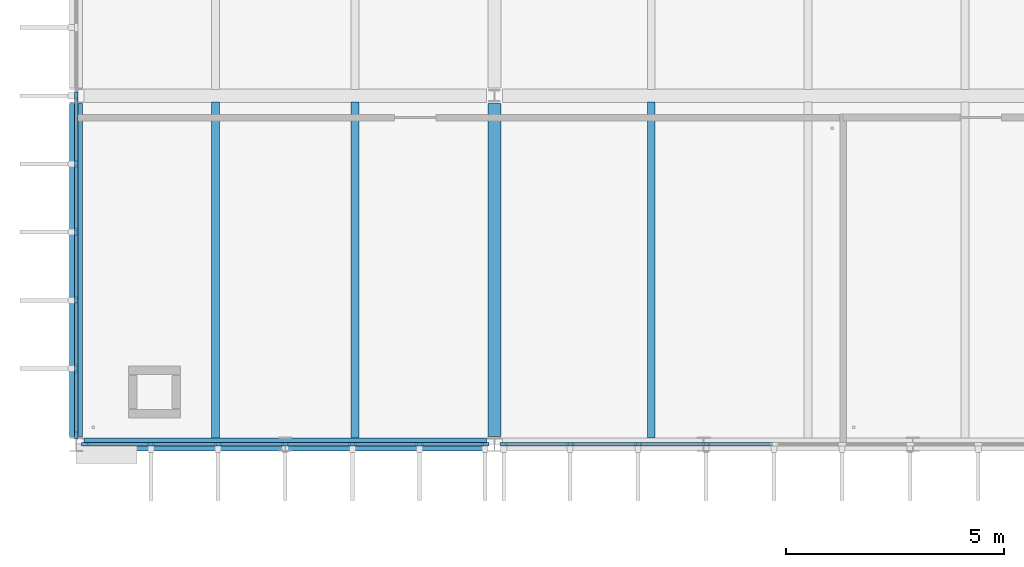
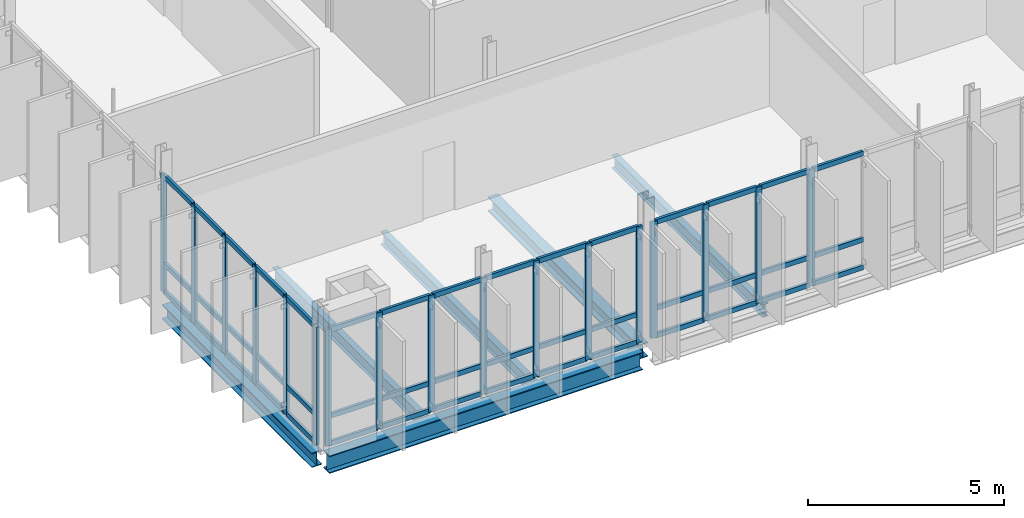
# One storey, part 17 of 93: 62 members, 6 beams, 3 elements without a shape of their own.
"""IFC4 building model written with IfcOpenShell, lengths in metres."""

from ifc_helpers import new_model, si_unit, direction, frame, origin, origin_2d, place, context, subcontext, project, spatial, rectangle, i_section, extrude, material, material_profile, profile_set, type_object, element, aggregate, save


model = new_model("IFC4")

# Units and contexts
model_context = context("Model", 3, precision=1e-05, world=origin(), true_north=direction((0.0, 1.0)))
body_context = subcontext(model_context, "Body", "Model", "MODEL_VIEW")
ifc_project = project(units=[si_unit("LENGTHUNIT", "METRE"), si_unit("AREAUNIT", "SQUARE_METRE"), si_unit("VOLUMEUNIT", "CUBIC_METRE"), si_unit("PLANEANGLEUNIT", "RADIAN"), si_unit("MASSUNIT", "GRAM", prefix="KILO")], contexts=[model_context])

# Site, building, storey
site_placement = place(None, origin())
site = spatial("IfcSite", under=ifc_project, at=site_placement, CompositionType="ELEMENT")
building_placement = place(site_placement, origin())
building = spatial("IfcBuilding", under=site, at=building_placement, Name="Dunescarp Central Library", CompositionType="ELEMENT")
storey_placement = place(building_placement, frame((0.0, 0.0, 14.10009765625)))
storey = spatial("IfcBuildingStorey", under=building, at=storey_placement, Name="L03", CompositionType="ELEMENT", Elevation=14.10009765625)

# Curtain wall, members
ifc_material_1 = material(Name="Marine-grade anodised aluminium 6063-T6", Category="aluminium")
curtain_wall_type = type_object("IfcCurtainWallType", Name="ARC-CW-STICK", PredefinedType="NOTDEFINED", material=ifc_material_1)
curtain_wall_1_placement = place(storey_placement, origin())
curtain_wall_1 = element("IfcCurtainWall", 1, at=curtain_wall_1_placement, inside=storey, type_object=curtain_wall_type, Name="L03 curtain wall CW-V1-018", PredefinedType="NOTDEFINED")
ifc_material_profile_1 = material_profile(ifc_material_1, rectangle(XDim=0.080078125, YDim=0.179931640625, at=origin_2d()), Name="AL 80x180")
ifc_profile_set_1 = profile_set([ifc_material_profile_1], Name="Marine-grade anodised aluminium 6063-T6")
member_type_1 = type_object("IfcMemberType", Name="ARC-CWM-180", PredefinedType="MULLION", material=ifc_profile_set_1)
member_1_placement = place(storey_placement, frame((9.385009765625, 4.800048828125, 0.0), z_axis=(0.0, 0.0, 1.0), x_axis=(0.0, -1.0, 0.0)))
member_1 = element("IfcMember", 2, at=member_1_placement, type_object=member_type_1, Name="CW-V1-018 mullion 1", PredefinedType="MULLION", context=body_context, shape_type="SweptSolid", body=[
    extrude(rectangle(XDim=0.080078125, YDim=0.179931640625, at=origin_2d()), origin(), (0.0, 0.0, 1.0), 3.625),
])
member_2_placement = place(storey_placement, frame((7.88330078125, 4.800048828125, 0.0), z_axis=(0.0, 0.0, 1.0), x_axis=(0.0, -1.0, 0.0)))
member_2 = element("IfcMember", 3, at=member_2_placement, type_object=member_type_1, Name="CW-V1-018 mullion 2", PredefinedType="MULLION", context=body_context, shape_type="SweptSolid", body=[
    extrude(rectangle(XDim=0.080078125, YDim=0.179931640625, at=origin_2d()), origin(), (0.0, 0.0, 1.0), 3.625),
])
member_3_placement = place(storey_placement, frame((6.341552734375, 4.800048828125, 0.0), z_axis=(0.0, 0.0, 1.0), x_axis=(0.0, -1.0, 0.0)))
member_3 = element("IfcMember", 4, at=member_3_placement, type_object=member_type_1, Name="CW-V1-018 mullion 3", PredefinedType="MULLION", context=body_context, shape_type="SweptSolid", body=[
    extrude(rectangle(XDim=0.080078125, YDim=0.179931640625, at=origin_2d()), origin(), (0.0, 0.0, 1.0), 3.625),
])
member_4_placement = place(storey_placement, frame((4.800048828125, 4.800048828125, 0.0), z_axis=(0.0, 0.0, 1.0), x_axis=(0.0, -1.0, 0.0)))
member_4 = element("IfcMember", 5, at=member_4_placement, type_object=member_type_1, Name="CW-V1-018 mullion 4", PredefinedType="MULLION", context=body_context, shape_type="SweptSolid", body=[
    extrude(rectangle(XDim=0.080078125, YDim=0.179931640625, at=origin_2d()), origin(), (0.0, 0.0, 1.0), 3.625),
])
member_5_placement = place(storey_placement, frame((3.25830078125, 4.800048828125, 0.0), z_axis=(0.0, 0.0, 1.0), x_axis=(0.0, -1.0, 0.0)))
member_5 = element("IfcMember", 6, at=member_5_placement, type_object=member_type_1, Name="CW-V1-018 mullion 5", PredefinedType="MULLION", context=body_context, shape_type="SweptSolid", body=[
    extrude(rectangle(XDim=0.080078125, YDim=0.179931640625, at=origin_2d()), origin(), (0.0, 0.0, 1.0), 3.625),
])
member_6_placement = place(storey_placement, frame((1.716552734375, 4.800048828125, 0.0), z_axis=(0.0, 0.0, 1.0), x_axis=(0.0, -1.0, 0.0)))
member_6 = element("IfcMember", 7, at=member_6_placement, type_object=member_type_1, Name="CW-V1-018 mullion 6", PredefinedType="MULLION", context=body_context, shape_type="SweptSolid", body=[
    extrude(rectangle(XDim=0.080078125, YDim=0.179931640625, at=origin_2d()), origin(), (0.0, 0.0, 1.0), 3.625),
])
member_7_placement = place(storey_placement, frame((0.215087890625, 4.800048828125, 0.0), z_axis=(0.0, 0.0, 1.0), x_axis=(0.0, -1.0, 0.0)))
member_7 = element("IfcMember", 8, at=member_7_placement, type_object=member_type_1, Name="CW-V1-018 mullion 7", PredefinedType="MULLION", context=body_context, shape_type="SweptSolid", body=[
    extrude(rectangle(XDim=0.080078125, YDim=0.179931640625, at=origin_2d()), origin(), (0.0, 0.0, 1.0), 3.625),
])

curtain_wall_2_placement = place(storey_placement, origin())
curtain_wall_2 = element("IfcCurtainWall", 9, at=curtain_wall_2_placement, inside=storey, type_object=curtain_wall_type, Name="L03 curtain wall CW-V1-019", PredefinedType="NOTDEFINED")
member_8_placement = place(storey_placement, frame((14.458251953125, 4.800048828125, 0.0), z_axis=(0.0, 0.0, 1.0), x_axis=(0.0, -1.0, 0.0)))
member_8 = element("IfcMember", 10, at=member_8_placement, type_object=member_type_1, Name="CW-V1-019 mullion 7", PredefinedType="MULLION", context=body_context, shape_type="SweptSolid", body=[
    extrude(rectangle(XDim=0.080078125, YDim=0.179931640625, at=origin_2d()), origin(), (0.0, 0.0, 1.0), 3.625),
])
member_9_placement = place(storey_placement, frame((12.897216796875, 4.800048828125, 0.0), z_axis=(0.0, 0.0, 1.0), x_axis=(0.0, -1.0, 0.0)))
member_9 = element("IfcMember", 11, at=member_9_placement, type_object=member_type_1, Name="CW-V1-019 mullion 8", PredefinedType="MULLION", context=body_context, shape_type="SweptSolid", body=[
    extrude(rectangle(XDim=0.080078125, YDim=0.179931640625, at=origin_2d()), origin(), (0.0, 0.0, 1.0), 3.625),
])
member_10_placement = place(storey_placement, frame((11.336181640625, 4.800048828125, 0.0), z_axis=(0.0, 0.0, 1.0), x_axis=(0.0, -1.0, 0.0)))
member_10 = element("IfcMember", 12, at=member_10_placement, type_object=member_type_1, Name="CW-V1-019 mullion 9", PredefinedType="MULLION", context=body_context, shape_type="SweptSolid", body=[
    extrude(rectangle(XDim=0.080078125, YDim=0.179931640625, at=origin_2d()), origin(), (0.0, 0.0, 1.0), 3.625),
])
member_11_placement = place(storey_placement, frame((9.81494140625, 4.800048828125, 0.0), z_axis=(0.0, 0.0, 1.0), x_axis=(0.0, -1.0, 0.0)))
member_11 = element("IfcMember", 13, at=member_11_placement, type_object=member_type_1, Name="CW-V1-019 mullion 10", PredefinedType="MULLION", context=body_context, shape_type="SweptSolid", body=[
    extrude(rectangle(XDim=0.080078125, YDim=0.179931640625, at=origin_2d()), origin(), (0.0, 0.0, 1.0), 3.625),
])

curtain_wall_3_placement = place(storey_placement, origin())
curtain_wall_3 = element("IfcCurtainWall", 14, at=curtain_wall_3_placement, inside=storey, type_object=curtain_wall_type, Name="L03 curtain wall CW-V1-021", PredefinedType="NOTDEFINED")
member_12_placement = place(storey_placement, frame((0.0, 5.014892578125, 0.0), z_axis=(0.0, 0.0, 1.0), x_axis=(-1.0, 0.0, 0.0)))
member_12 = element("IfcMember", 15, at=member_12_placement, type_object=member_type_1, Name="CW-V1-021 mullion 1", PredefinedType="MULLION", context=body_context, shape_type="SweptSolid", body=[
    extrude(rectangle(XDim=0.080078125, YDim=0.179931640625, at=origin_2d()), origin(), (0.0, 0.0, 1.0), 3.6748046875),
])
member_13_placement = place(storey_placement, frame((0.0, 6.5400390625, 0.0), z_axis=(0.0, 0.0, 1.0), x_axis=(-1.0, 0.0, 0.0)))
member_13 = element("IfcMember", 16, at=member_13_placement, type_object=member_type_1, Name="CW-V1-021 mullion 2", PredefinedType="MULLION", context=body_context, shape_type="SweptSolid", body=[
    extrude(rectangle(XDim=0.080078125, YDim=0.179931640625, at=origin_2d()), origin(), (0.0, 0.0, 1.0), 3.6748046875),
])
member_14_placement = place(storey_placement, frame((0.0, 8.10498046875, 0.0), z_axis=(0.0, 0.0, 1.0), x_axis=(-1.0, 0.0, 0.0)))
member_14 = element("IfcMember", 17, at=member_14_placement, type_object=member_type_1, Name="CW-V1-021 mullion 3", PredefinedType="MULLION", context=body_context, shape_type="SweptSolid", body=[
    extrude(rectangle(XDim=0.080078125, YDim=0.179931640625, at=origin_2d()), origin(), (0.0, 0.0, 1.0), 3.6748046875),
])
member_15_placement = place(storey_placement, frame((0.0, 9.669921875, 0.0), z_axis=(0.0, 0.0, 1.0), x_axis=(-1.0, 0.0, 0.0)))
member_15 = element("IfcMember", 18, at=member_15_placement, type_object=member_type_1, Name="CW-V1-021 mullion 4", PredefinedType="MULLION", context=body_context, shape_type="SweptSolid", body=[
    extrude(rectangle(XDim=0.080078125, YDim=0.179931640625, at=origin_2d()), origin(), (0.0, 0.0, 1.0), 3.6748046875),
])
member_16_placement = place(storey_placement, frame((0.0, 11.235107421875, 0.0), z_axis=(0.0, 0.0, 1.0), x_axis=(-1.0, 0.0, 0.0)))
member_16 = element("IfcMember", 19, at=member_16_placement, type_object=member_type_1, Name="CW-V1-021 mullion 5", PredefinedType="MULLION", context=body_context, shape_type="SweptSolid", body=[
    extrude(rectangle(XDim=0.080078125, YDim=0.179931640625, at=origin_2d()), origin(), (0.0, 0.0, 1.0), 3.6748046875),
])
member_17_placement = place(storey_placement, frame((0.0, 12.800048828125, 0.0), z_axis=(0.0, 0.0, 1.0), x_axis=(-1.0, 0.0, 0.0)))
member_17 = element("IfcMember", 20, at=member_17_placement, type_object=member_type_1, Name="CW-V1-021 mullion 6", PredefinedType="MULLION", context=body_context, shape_type="SweptSolid", body=[
    extrude(rectangle(XDim=0.080078125, YDim=0.179931640625, at=origin_2d()), origin(), (0.0, 0.0, 1.0), 3.6748046875),
])

# Member
ifc_material_profile_2 = material_profile(ifc_material_1, rectangle(XDim=0.080078125, YDim=0.14990234375, at=origin_2d()), Name="AL 80x150")
ifc_profile_set_2 = profile_set([ifc_material_profile_2], Name="Marine-grade anodised aluminium 6063-T6")
member_type_2 = type_object("IfcMemberType", Name="ARC-CWT-150", PredefinedType="USERDEFINED", material=ifc_profile_set_2)
member_18_placement = place(storey_placement, frame((9.344970703125, 4.800048828125, 0.039794921875), z_axis=(-1.0, 0.0, 0.0), x_axis=(0.0, -1.0, 0.0)))
member_18 = element("IfcMember", 21, at=member_18_placement, type_object=member_type_2, Name="CW-V1-018 transom 1.1", ObjectType="TRANSOM", PredefinedType="USERDEFINED", context=body_context, shape_type="SweptSolid", body=[
    extrude(rectangle(XDim=0.080078125, YDim=0.14990234375, at=origin_2d()), origin(), (0.0, 0.0, 1.0), 1.421630859375),
])

member_19_placement = place(storey_placement, frame((9.344970703125, 4.800048828125, 0.89990234375), z_axis=(-1.0, 0.0, 0.0), x_axis=(0.0, -1.0, 0.0)))
member_19 = element("IfcMember", 22, at=member_19_placement, type_object=member_type_2, Name="CW-V1-018 transom 1.2", ObjectType="TRANSOM", PredefinedType="USERDEFINED", context=body_context, shape_type="SweptSolid", body=[
    extrude(rectangle(XDim=0.080078125, YDim=0.14990234375, at=origin_2d()), origin(), (0.0, 0.0, 1.0), 1.421630859375),
])

member_20_placement = place(storey_placement, frame((9.344970703125, 4.800048828125, 3.5849609375), z_axis=(-1.0, 0.0, 0.0), x_axis=(0.0, -1.0, 0.0)))
member_20 = element("IfcMember", 23, at=member_20_placement, type_object=member_type_2, Name="CW-V1-018 transom 1.3", ObjectType="TRANSOM", PredefinedType="USERDEFINED", context=body_context, shape_type="SweptSolid", body=[
    extrude(rectangle(XDim=0.080078125, YDim=0.14990234375, at=origin_2d()), origin(), (0.0, 0.0, 1.0), 1.421630859375),
])

member_21_placement = place(storey_placement, frame((7.84326171875, 4.800048828125, 0.039794921875), z_axis=(-1.0, 0.0, 0.0), x_axis=(0.0, -1.0, 0.0)))
member_21 = element("IfcMember", 24, at=member_21_placement, type_object=member_type_2, Name="CW-V1-018 transom 2.1", ObjectType="TRANSOM", PredefinedType="USERDEFINED", context=body_context, shape_type="SweptSolid", body=[
    extrude(rectangle(XDim=0.080078125, YDim=0.14990234375, at=origin_2d()), origin(), (0.0, 0.0, 1.0), 1.461669921875),
])

member_22_placement = place(storey_placement, frame((7.84326171875, 4.800048828125, 0.89990234375), z_axis=(-1.0, 0.0, 0.0), x_axis=(0.0, -1.0, 0.0)))
member_22 = element("IfcMember", 25, at=member_22_placement, type_object=member_type_2, Name="CW-V1-018 transom 2.2", ObjectType="TRANSOM", PredefinedType="USERDEFINED", context=body_context, shape_type="SweptSolid", body=[
    extrude(rectangle(XDim=0.080078125, YDim=0.14990234375, at=origin_2d()), origin(), (0.0, 0.0, 1.0), 1.461669921875),
])

member_23_placement = place(storey_placement, frame((7.84326171875, 4.800048828125, 3.5849609375), z_axis=(-1.0, 0.0, 0.0), x_axis=(0.0, -1.0, 0.0)))
member_23 = element("IfcMember", 26, at=member_23_placement, type_object=member_type_2, Name="CW-V1-018 transom 2.3", ObjectType="TRANSOM", PredefinedType="USERDEFINED", context=body_context, shape_type="SweptSolid", body=[
    extrude(rectangle(XDim=0.080078125, YDim=0.14990234375, at=origin_2d()), origin(), (0.0, 0.0, 1.0), 1.461669921875),
])

member_24_placement = place(storey_placement, frame((6.3017578125, 4.800048828125, 0.039794921875), z_axis=(-1.0, 0.0, 0.0), x_axis=(0.0, -1.0, 0.0)))
member_24 = element("IfcMember", 27, at=member_24_placement, type_object=member_type_2, Name="CW-V1-018 transom 3.1", ObjectType="TRANSOM", PredefinedType="USERDEFINED", context=body_context, shape_type="SweptSolid", body=[
    extrude(rectangle(XDim=0.080078125, YDim=0.14990234375, at=origin_2d()), origin(), (0.0, 0.0, 1.0), 1.461669921875),
])

member_25_placement = place(storey_placement, frame((6.3017578125, 4.800048828125, 0.89990234375), z_axis=(-1.0, 0.0, 0.0), x_axis=(0.0, -1.0, 0.0)))
member_25 = element("IfcMember", 28, at=member_25_placement, type_object=member_type_2, Name="CW-V1-018 transom 3.2", ObjectType="TRANSOM", PredefinedType="USERDEFINED", context=body_context, shape_type="SweptSolid", body=[
    extrude(rectangle(XDim=0.080078125, YDim=0.14990234375, at=origin_2d()), origin(), (0.0, 0.0, 1.0), 1.461669921875),
])

member_26_placement = place(storey_placement, frame((6.3017578125, 4.800048828125, 3.5849609375), z_axis=(-1.0, 0.0, 0.0), x_axis=(0.0, -1.0, 0.0)))
member_26 = element("IfcMember", 29, at=member_26_placement, type_object=member_type_2, Name="CW-V1-018 transom 3.3", ObjectType="TRANSOM", PredefinedType="USERDEFINED", context=body_context, shape_type="SweptSolid", body=[
    extrude(rectangle(XDim=0.080078125, YDim=0.14990234375, at=origin_2d()), origin(), (0.0, 0.0, 1.0), 1.461669921875),
])

member_27_placement = place(storey_placement, frame((4.760009765625, 4.800048828125, 0.039794921875), z_axis=(-1.0, 0.0, 0.0), x_axis=(0.0, -1.0, 0.0)))
member_27 = element("IfcMember", 30, at=member_27_placement, type_object=member_type_2, Name="CW-V1-018 transom 4.1", ObjectType="TRANSOM", PredefinedType="USERDEFINED", context=body_context, shape_type="SweptSolid", body=[
    extrude(rectangle(XDim=0.080078125, YDim=0.14990234375, at=origin_2d()), origin(), (0.0, 0.0, 1.0), 1.461669921875),
])

member_28_placement = place(storey_placement, frame((4.760009765625, 4.800048828125, 0.89990234375), z_axis=(-1.0, 0.0, 0.0), x_axis=(0.0, -1.0, 0.0)))
member_28 = element("IfcMember", 31, at=member_28_placement, type_object=member_type_2, Name="CW-V1-018 transom 4.2", ObjectType="TRANSOM", PredefinedType="USERDEFINED", context=body_context, shape_type="SweptSolid", body=[
    extrude(rectangle(XDim=0.080078125, YDim=0.14990234375, at=origin_2d()), origin(), (0.0, 0.0, 1.0), 1.461669921875),
])

member_29_placement = place(storey_placement, frame((4.760009765625, 4.800048828125, 3.5849609375), z_axis=(-1.0, 0.0, 0.0), x_axis=(0.0, -1.0, 0.0)))
member_29 = element("IfcMember", 32, at=member_29_placement, type_object=member_type_2, Name="CW-V1-018 transom 4.3", ObjectType="TRANSOM", PredefinedType="USERDEFINED", context=body_context, shape_type="SweptSolid", body=[
    extrude(rectangle(XDim=0.080078125, YDim=0.14990234375, at=origin_2d()), origin(), (0.0, 0.0, 1.0), 1.461669921875),
])

member_30_placement = place(storey_placement, frame((3.21826171875, 4.800048828125, 0.039794921875), z_axis=(-1.0, 0.0, 0.0), x_axis=(0.0, -1.0, 0.0)))
member_30 = element("IfcMember", 33, at=member_30_placement, type_object=member_type_2, Name="CW-V1-018 transom 5.1", ObjectType="TRANSOM", PredefinedType="USERDEFINED", context=body_context, shape_type="SweptSolid", body=[
    extrude(rectangle(XDim=0.080078125, YDim=0.14990234375, at=origin_2d()), origin(), (0.0, 0.0, 1.0), 1.461669921875),
])

member_31_placement = place(storey_placement, frame((3.21826171875, 4.800048828125, 0.89990234375), z_axis=(-1.0, 0.0, 0.0), x_axis=(0.0, -1.0, 0.0)))
member_31 = element("IfcMember", 34, at=member_31_placement, type_object=member_type_2, Name="CW-V1-018 transom 5.2", ObjectType="TRANSOM", PredefinedType="USERDEFINED", context=body_context, shape_type="SweptSolid", body=[
    extrude(rectangle(XDim=0.080078125, YDim=0.14990234375, at=origin_2d()), origin(), (0.0, 0.0, 1.0), 1.461669921875),
])

member_32_placement = place(storey_placement, frame((3.21826171875, 4.800048828125, 3.5849609375), z_axis=(-1.0, 0.0, 0.0), x_axis=(0.0, -1.0, 0.0)))
member_32 = element("IfcMember", 35, at=member_32_placement, type_object=member_type_2, Name="CW-V1-018 transom 5.3", ObjectType="TRANSOM", PredefinedType="USERDEFINED", context=body_context, shape_type="SweptSolid", body=[
    extrude(rectangle(XDim=0.080078125, YDim=0.14990234375, at=origin_2d()), origin(), (0.0, 0.0, 1.0), 1.461669921875),
])

member_33_placement = place(storey_placement, frame((1.6767578125, 4.800048828125, 0.039794921875), z_axis=(-1.0, 0.0, 0.0), x_axis=(0.0, -1.0, 0.0)))
member_33 = element("IfcMember", 36, at=member_33_placement, type_object=member_type_2, Name="CW-V1-018 transom 6.1", ObjectType="TRANSOM", PredefinedType="USERDEFINED", context=body_context, shape_type="SweptSolid", body=[
    extrude(rectangle(XDim=0.080078125, YDim=0.14990234375, at=origin_2d()), origin(), (0.0, 0.0, 1.0), 1.421875),
])

member_34_placement = place(storey_placement, frame((1.6767578125, 4.800048828125, 0.89990234375), z_axis=(-1.0, 0.0, 0.0), x_axis=(0.0, -1.0, 0.0)))
member_34 = element("IfcMember", 37, at=member_34_placement, type_object=member_type_2, Name="CW-V1-018 transom 6.2", ObjectType="TRANSOM", PredefinedType="USERDEFINED", context=body_context, shape_type="SweptSolid", body=[
    extrude(rectangle(XDim=0.080078125, YDim=0.14990234375, at=origin_2d()), origin(), (0.0, 0.0, 1.0), 1.421875),
])

member_35_placement = place(storey_placement, frame((1.6767578125, 4.800048828125, 3.5849609375), z_axis=(-1.0, 0.0, 0.0), x_axis=(0.0, -1.0, 0.0)))
member_35 = element("IfcMember", 38, at=member_35_placement, type_object=member_type_2, Name="CW-V1-018 transom 6.3", ObjectType="TRANSOM", PredefinedType="USERDEFINED", context=body_context, shape_type="SweptSolid", body=[
    extrude(rectangle(XDim=0.080078125, YDim=0.14990234375, at=origin_2d()), origin(), (0.0, 0.0, 1.0), 1.421875),
])

aggregate(curtain_wall_1, [member_1, member_2, member_3, member_4, member_5, member_6, member_7, member_18, member_19, member_20, member_21, member_22, member_23, member_24, member_25, member_26, member_27, member_28, member_29, member_30, member_31, member_32, member_33, member_34, member_35])

member_36_placement = place(storey_placement, frame((15.9794921875, 4.800048828125, 0.039794921875), z_axis=(-1.0, 0.0, 0.0), x_axis=(0.0, -1.0, 0.0)))
member_36 = element("IfcMember", 39, at=member_36_placement, type_object=member_type_2, Name="CW-V1-019 transom 6.1", ObjectType="TRANSOM", PredefinedType="USERDEFINED", context=body_context, shape_type="SweptSolid", body=[
    extrude(rectangle(XDim=0.080078125, YDim=0.14990234375, at=origin_2d()), origin(), (0.0, 0.0, 1.0), 1.481201171875),
])

member_37_placement = place(storey_placement, frame((15.9794921875, 4.800048828125, 0.89990234375), z_axis=(-1.0, 0.0, 0.0), x_axis=(0.0, -1.0, 0.0)))
member_37 = element("IfcMember", 40, at=member_37_placement, type_object=member_type_2, Name="CW-V1-019 transom 6.2", ObjectType="TRANSOM", PredefinedType="USERDEFINED", context=body_context, shape_type="SweptSolid", body=[
    extrude(rectangle(XDim=0.080078125, YDim=0.14990234375, at=origin_2d()), origin(), (0.0, 0.0, 1.0), 1.481201171875),
])

member_38_placement = place(storey_placement, frame((15.9794921875, 4.800048828125, 3.5849609375), z_axis=(-1.0, 0.0, 0.0), x_axis=(0.0, -1.0, 0.0)))
member_38 = element("IfcMember", 41, at=member_38_placement, type_object=member_type_2, Name="CW-V1-019 transom 6.3", ObjectType="TRANSOM", PredefinedType="USERDEFINED", context=body_context, shape_type="SweptSolid", body=[
    extrude(rectangle(XDim=0.080078125, YDim=0.14990234375, at=origin_2d()), origin(), (0.0, 0.0, 1.0), 1.481201171875),
])

member_39_placement = place(storey_placement, frame((14.418212890625, 4.800048828125, 0.039794921875), z_axis=(-1.0, 0.0, 0.0), x_axis=(0.0, -1.0, 0.0)))
member_39 = element("IfcMember", 42, at=member_39_placement, type_object=member_type_2, Name="CW-V1-019 transom 7.1", ObjectType="TRANSOM", PredefinedType="USERDEFINED", context=body_context, shape_type="SweptSolid", body=[
    extrude(rectangle(XDim=0.080078125, YDim=0.14990234375, at=origin_2d()), origin(), (0.0, 0.0, 1.0), 1.48095703125),
])

member_40_placement = place(storey_placement, frame((14.418212890625, 4.800048828125, 0.89990234375), z_axis=(-1.0, 0.0, 0.0), x_axis=(0.0, -1.0, 0.0)))
member_40 = element("IfcMember", 43, at=member_40_placement, type_object=member_type_2, Name="CW-V1-019 transom 7.2", ObjectType="TRANSOM", PredefinedType="USERDEFINED", context=body_context, shape_type="SweptSolid", body=[
    extrude(rectangle(XDim=0.080078125, YDim=0.14990234375, at=origin_2d()), origin(), (0.0, 0.0, 1.0), 1.48095703125),
])

member_41_placement = place(storey_placement, frame((14.418212890625, 4.800048828125, 3.5849609375), z_axis=(-1.0, 0.0, 0.0), x_axis=(0.0, -1.0, 0.0)))
member_41 = element("IfcMember", 44, at=member_41_placement, type_object=member_type_2, Name="CW-V1-019 transom 7.3", ObjectType="TRANSOM", PredefinedType="USERDEFINED", context=body_context, shape_type="SweptSolid", body=[
    extrude(rectangle(XDim=0.080078125, YDim=0.14990234375, at=origin_2d()), origin(), (0.0, 0.0, 1.0), 1.48095703125),
])

member_42_placement = place(storey_placement, frame((12.857177734375, 4.800048828125, 0.039794921875), z_axis=(-1.0, 0.0, 0.0), x_axis=(0.0, -1.0, 0.0)))
member_42 = element("IfcMember", 45, at=member_42_placement, type_object=member_type_2, Name="CW-V1-019 transom 8.1", ObjectType="TRANSOM", PredefinedType="USERDEFINED", context=body_context, shape_type="SweptSolid", body=[
    extrude(rectangle(XDim=0.080078125, YDim=0.14990234375, at=origin_2d()), origin(), (0.0, 0.0, 1.0), 1.48095703125),
])

member_43_placement = place(storey_placement, frame((12.857177734375, 4.800048828125, 0.89990234375), z_axis=(-1.0, 0.0, 0.0), x_axis=(0.0, -1.0, 0.0)))
member_43 = element("IfcMember", 46, at=member_43_placement, type_object=member_type_2, Name="CW-V1-019 transom 8.2", ObjectType="TRANSOM", PredefinedType="USERDEFINED", context=body_context, shape_type="SweptSolid", body=[
    extrude(rectangle(XDim=0.080078125, YDim=0.14990234375, at=origin_2d()), origin(), (0.0, 0.0, 1.0), 1.48095703125),
])

member_44_placement = place(storey_placement, frame((12.857177734375, 4.800048828125, 3.5849609375), z_axis=(-1.0, 0.0, 0.0), x_axis=(0.0, -1.0, 0.0)))
member_44 = element("IfcMember", 47, at=member_44_placement, type_object=member_type_2, Name="CW-V1-019 transom 8.3", ObjectType="TRANSOM", PredefinedType="USERDEFINED", context=body_context, shape_type="SweptSolid", body=[
    extrude(rectangle(XDim=0.080078125, YDim=0.14990234375, at=origin_2d()), origin(), (0.0, 0.0, 1.0), 1.48095703125),
])

member_45_placement = place(storey_placement, frame((11.296142578125, 4.800048828125, 0.039794921875), z_axis=(-1.0, 0.0, 0.0), x_axis=(0.0, -1.0, 0.0)))
member_45 = element("IfcMember", 48, at=member_45_placement, type_object=member_type_2, Name="CW-V1-019 transom 9.1", ObjectType="TRANSOM", PredefinedType="USERDEFINED", context=body_context, shape_type="SweptSolid", body=[
    extrude(rectangle(XDim=0.080078125, YDim=0.14990234375, at=origin_2d()), origin(), (0.0, 0.0, 1.0), 1.441162109375),
])

member_46_placement = place(storey_placement, frame((11.296142578125, 4.800048828125, 0.89990234375), z_axis=(-1.0, 0.0, 0.0), x_axis=(0.0, -1.0, 0.0)))
member_46 = element("IfcMember", 49, at=member_46_placement, type_object=member_type_2, Name="CW-V1-019 transom 9.2", ObjectType="TRANSOM", PredefinedType="USERDEFINED", context=body_context, shape_type="SweptSolid", body=[
    extrude(rectangle(XDim=0.080078125, YDim=0.14990234375, at=origin_2d()), origin(), (0.0, 0.0, 1.0), 1.441162109375),
])

member_47_placement = place(storey_placement, frame((11.296142578125, 4.800048828125, 3.5849609375), z_axis=(-1.0, 0.0, 0.0), x_axis=(0.0, -1.0, 0.0)))
member_47 = element("IfcMember", 50, at=member_47_placement, type_object=member_type_2, Name="CW-V1-019 transom 9.3", ObjectType="TRANSOM", PredefinedType="USERDEFINED", context=body_context, shape_type="SweptSolid", body=[
    extrude(rectangle(XDim=0.080078125, YDim=0.14990234375, at=origin_2d()), origin(), (0.0, 0.0, 1.0), 1.441162109375),
])

aggregate(curtain_wall_2, [member_8, member_9, member_10, member_11, member_36, member_37, member_38, member_39, member_40, member_41, member_42, member_43, member_44, member_45, member_46, member_47])

member_48_placement = place(storey_placement, frame((0.0, 5.054931640625, 0.039794921875), z_axis=(0.0, 1.0, 0.0), x_axis=(-1.0, 0.0, 0.0)))
member_48 = element("IfcMember", 51, at=member_48_placement, type_object=member_type_2, Name="CW-V1-021 transom 1.1", ObjectType="TRANSOM", PredefinedType="USERDEFINED", context=body_context, shape_type="SweptSolid", body=[
    extrude(rectangle(XDim=0.080078125, YDim=0.14990234375, at=origin_2d()), origin(), (0.0, 0.0, 1.0), 1.445068359375),
])

member_49_placement = place(storey_placement, frame((0.0, 5.054931640625, 0.89990234375), z_axis=(0.0, 1.0, 0.0), x_axis=(-1.0, 0.0, 0.0)))
member_49 = element("IfcMember", 52, at=member_49_placement, type_object=member_type_2, Name="CW-V1-021 transom 1.2", ObjectType="TRANSOM", PredefinedType="USERDEFINED", context=body_context, shape_type="SweptSolid", body=[
    extrude(rectangle(XDim=0.080078125, YDim=0.14990234375, at=origin_2d()), origin(), (0.0, 0.0, 1.0), 1.445068359375),
])

member_50_placement = place(storey_placement, frame((0.0, 5.054931640625, 3.635009765625), z_axis=(0.0, 1.0, 0.0), x_axis=(-1.0, 0.0, 0.0)))
member_50 = element("IfcMember", 53, at=member_50_placement, type_object=member_type_2, Name="CW-V1-021 transom 1.3", ObjectType="TRANSOM", PredefinedType="USERDEFINED", context=body_context, shape_type="SweptSolid", body=[
    extrude(rectangle(XDim=0.080078125, YDim=0.14990234375, at=origin_2d()), origin(), (0.0, 0.0, 1.0), 1.445068359375),
])

member_51_placement = place(storey_placement, frame((0.0, 6.580078125, 0.039794921875), z_axis=(0.0, 1.0, 0.0), x_axis=(-1.0, 0.0, 0.0)))
member_51 = element("IfcMember", 54, at=member_51_placement, type_object=member_type_2, Name="CW-V1-021 transom 2.1", ObjectType="TRANSOM", PredefinedType="USERDEFINED", context=body_context, shape_type="SweptSolid", body=[
    extrude(rectangle(XDim=0.080078125, YDim=0.14990234375, at=origin_2d()), origin(), (0.0, 0.0, 1.0), 1.48486328125),
])

member_52_placement = place(storey_placement, frame((0.0, 6.580078125, 0.89990234375), z_axis=(0.0, 1.0, 0.0), x_axis=(-1.0, 0.0, 0.0)))
member_52 = element("IfcMember", 55, at=member_52_placement, type_object=member_type_2, Name="CW-V1-021 transom 2.2", ObjectType="TRANSOM", PredefinedType="USERDEFINED", context=body_context, shape_type="SweptSolid", body=[
    extrude(rectangle(XDim=0.080078125, YDim=0.14990234375, at=origin_2d()), origin(), (0.0, 0.0, 1.0), 1.48486328125),
])

member_53_placement = place(storey_placement, frame((0.0, 6.580078125, 3.635009765625), z_axis=(0.0, 1.0, 0.0), x_axis=(-1.0, 0.0, 0.0)))
member_53 = element("IfcMember", 56, at=member_53_placement, type_object=member_type_2, Name="CW-V1-021 transom 2.3", ObjectType="TRANSOM", PredefinedType="USERDEFINED", context=body_context, shape_type="SweptSolid", body=[
    extrude(rectangle(XDim=0.080078125, YDim=0.14990234375, at=origin_2d()), origin(), (0.0, 0.0, 1.0), 1.48486328125),
])

member_54_placement = place(storey_placement, frame((0.0, 8.14501953125, 0.039794921875), z_axis=(0.0, 1.0, 0.0), x_axis=(-1.0, 0.0, 0.0)))
member_54 = element("IfcMember", 57, at=member_54_placement, type_object=member_type_2, Name="CW-V1-021 transom 3.1", ObjectType="TRANSOM", PredefinedType="USERDEFINED", context=body_context, shape_type="SweptSolid", body=[
    extrude(rectangle(XDim=0.080078125, YDim=0.14990234375, at=origin_2d()), origin(), (0.0, 0.0, 1.0), 1.48486328125),
])

member_55_placement = place(storey_placement, frame((0.0, 8.14501953125, 0.89990234375), z_axis=(0.0, 1.0, 0.0), x_axis=(-1.0, 0.0, 0.0)))
member_55 = element("IfcMember", 58, at=member_55_placement, type_object=member_type_2, Name="CW-V1-021 transom 3.2", ObjectType="TRANSOM", PredefinedType="USERDEFINED", context=body_context, shape_type="SweptSolid", body=[
    extrude(rectangle(XDim=0.080078125, YDim=0.14990234375, at=origin_2d()), origin(), (0.0, 0.0, 1.0), 1.48486328125),
])

member_56_placement = place(storey_placement, frame((0.0, 8.14501953125, 3.635009765625), z_axis=(0.0, 1.0, 0.0), x_axis=(-1.0, 0.0, 0.0)))
member_56 = element("IfcMember", 59, at=member_56_placement, type_object=member_type_2, Name="CW-V1-021 transom 3.3", ObjectType="TRANSOM", PredefinedType="USERDEFINED", context=body_context, shape_type="SweptSolid", body=[
    extrude(rectangle(XDim=0.080078125, YDim=0.14990234375, at=origin_2d()), origin(), (0.0, 0.0, 1.0), 1.48486328125),
])

member_57_placement = place(storey_placement, frame((0.0, 9.7099609375, 0.039794921875), z_axis=(0.0, 1.0, 0.0), x_axis=(-1.0, 0.0, 0.0)))
member_57 = element("IfcMember", 60, at=member_57_placement, type_object=member_type_2, Name="CW-V1-021 transom 4.1", ObjectType="TRANSOM", PredefinedType="USERDEFINED", context=body_context, shape_type="SweptSolid", body=[
    extrude(rectangle(XDim=0.080078125, YDim=0.14990234375, at=origin_2d()), origin(), (0.0, 0.0, 1.0), 1.485107421875),
])

member_58_placement = place(storey_placement, frame((0.0, 9.7099609375, 0.89990234375), z_axis=(0.0, 1.0, 0.0), x_axis=(-1.0, 0.0, 0.0)))
member_58 = element("IfcMember", 61, at=member_58_placement, type_object=member_type_2, Name="CW-V1-021 transom 4.2", ObjectType="TRANSOM", PredefinedType="USERDEFINED", context=body_context, shape_type="SweptSolid", body=[
    extrude(rectangle(XDim=0.080078125, YDim=0.14990234375, at=origin_2d()), origin(), (0.0, 0.0, 1.0), 1.485107421875),
])

member_59_placement = place(storey_placement, frame((0.0, 9.7099609375, 3.635009765625), z_axis=(0.0, 1.0, 0.0), x_axis=(-1.0, 0.0, 0.0)))
member_59 = element("IfcMember", 62, at=member_59_placement, type_object=member_type_2, Name="CW-V1-021 transom 4.3", ObjectType="TRANSOM", PredefinedType="USERDEFINED", context=body_context, shape_type="SweptSolid", body=[
    extrude(rectangle(XDim=0.080078125, YDim=0.14990234375, at=origin_2d()), origin(), (0.0, 0.0, 1.0), 1.485107421875),
])

member_60_placement = place(storey_placement, frame((0.0, 11.27490234375, 0.039794921875), z_axis=(0.0, 1.0, 0.0), x_axis=(-1.0, 0.0, 0.0)))
member_60 = element("IfcMember", 63, at=member_60_placement, type_object=member_type_2, Name="CW-V1-021 transom 5.1", ObjectType="TRANSOM", PredefinedType="USERDEFINED", context=body_context, shape_type="SweptSolid", body=[
    extrude(rectangle(XDim=0.080078125, YDim=0.14990234375, at=origin_2d()), origin(), (0.0, 0.0, 1.0), 1.485107421875),
])

member_61_placement = place(storey_placement, frame((0.0, 11.27490234375, 0.89990234375), z_axis=(0.0, 1.0, 0.0), x_axis=(-1.0, 0.0, 0.0)))
member_61 = element("IfcMember", 64, at=member_61_placement, type_object=member_type_2, Name="CW-V1-021 transom 5.2", ObjectType="TRANSOM", PredefinedType="USERDEFINED", context=body_context, shape_type="SweptSolid", body=[
    extrude(rectangle(XDim=0.080078125, YDim=0.14990234375, at=origin_2d()), origin(), (0.0, 0.0, 1.0), 1.485107421875),
])

member_62_placement = place(storey_placement, frame((0.0, 11.27490234375, 3.635009765625), z_axis=(0.0, 1.0, 0.0), x_axis=(-1.0, 0.0, 0.0)))
member_62 = element("IfcMember", 65, at=member_62_placement, type_object=member_type_2, Name="CW-V1-021 transom 5.3", ObjectType="TRANSOM", PredefinedType="USERDEFINED", context=body_context, shape_type="SweptSolid", body=[
    extrude(rectangle(XDim=0.080078125, YDim=0.14990234375, at=origin_2d()), origin(), (0.0, 0.0, 1.0), 1.485107421875),
])

aggregate(curtain_wall_3, [member_12, member_13, member_14, member_15, member_16, member_17, member_48, member_49, member_50, member_51, member_52, member_53, member_54, member_55, member_56, member_57, member_58, member_59, member_60, member_61, member_62])

# Beams
ifc_material_2 = material(Name="Steel S355JR", Category="steel")
ifc_material_profile_3 = material_profile(ifc_material_2, i_section(OverallWidth=0.300048828125, OverallDepth=0.449951171875, WebThickness=0.013916015625, FlangeThickness=0.02587890625, at=origin_2d()), Name="HEB 450")
ifc_profile_set_3 = profile_set([ifc_material_profile_3], Name="Steel S355JR")
beam_type_1 = type_object("IfcBeamType", Name="STR-BM-HEB450", PredefinedType="BEAM", material=ifc_profile_set_3)
for number, where, z_axis, x_axis, name in (
    (66, (0.0, 4.97802734375, -0.465087890625), (0.0, 1.0, 0.0), (-1.0, 0.0, 0.0), "L03 girder BM-L03-0113"),
    (67, (9.60009765625, 4.97802734375, -0.465087890625), (0.0, 1.0, 0.0), (-1.0, 0.0, 0.0), "L03 girder BM-L03-0114"),
):
    element("IfcBeam", number, at=place(storey_placement, frame(where, z_axis=z_axis, x_axis=x_axis)), inside=storey, type_object=beam_type_1, Name=name, PredefinedType="BEAM", context=body_context, shape_type="SweptSolid", body=[
        extrude(i_section(OverallWidth=0.300048828125, OverallDepth=0.449951171875, WebThickness=0.013916015625, FlangeThickness=0.02587890625, at=origin_2d()), origin(), (0.0, 0.0, 1.0), 7.64404296875),
    ])
ifc_material_profile_4 = material_profile(ifc_material_2, i_section(OverallWidth=0.300048828125, OverallDepth=0.550048828125, WebThickness=0.014892578125, FlangeThickness=0.029052734375, at=origin_2d()), Name="HEB 550")
ifc_profile_set_4 = profile_set([ifc_material_profile_4], Name="Steel S355JR")
beam_type_2 = type_object("IfcBeamType", Name="STR-BM-HEB550", PredefinedType="BEAM", material=ifc_profile_set_4)
beam_placement = place(storey_placement, frame((0.181884765625, 4.800048828125, -0.51513671875), z_axis=(1.0, 0.0, 0.0), x_axis=(0.0, 1.0, 0.0)))
element("IfcBeam", 68, at=beam_placement, inside=storey, type_object=beam_type_2, Name="L03 girder BM-L03-0111", PredefinedType="BEAM", context=body_context, shape_type="SweptSolid", body=[
    extrude(i_section(OverallWidth=0.300048828125, OverallDepth=0.550048828125, WebThickness=0.014892578125, FlangeThickness=0.029052734375, at=origin_2d()), origin(), (0.0, 0.0, 1.0), 9.236083984375),
])
ifc_material_profile_5 = material_profile(ifc_material_2, i_section(OverallWidth=0.179931640625, OverallDepth=0.39990234375, WebThickness=0.008544921875, FlangeThickness=0.013427734375, at=origin_2d()), Name="IPE 400")
ifc_profile_set_5 = profile_set([ifc_material_profile_5], Name="Steel S355JR")
beam_type_3 = type_object("IfcBeamType", Name="STR-JS-IPE400", PredefinedType="JOIST", material=ifc_profile_set_5)
for number, where, z_axis, x_axis, name in (
    (69, (3.199951171875, 4.947998046875, -0.440185546875), (0.0, 1.0, 0.0), (-1.0, 0.0, 0.0), "L03 joist JS-L03-0115"),
    (70, (6.39990234375, 4.947998046875, -0.440185546875), (0.0, 1.0, 0.0), (-1.0, 0.0, 0.0), "L03 joist JS-L03-0116"),
    (71, (13.199951171875, 4.947998046875, -0.440185546875), (0.0, 1.0, 0.0), (-1.0, 0.0, 0.0), "L03 joist JS-L03-0133"),
):
    element("IfcBeam", number, at=place(storey_placement, frame(where, z_axis=z_axis, x_axis=x_axis)), inside=storey, type_object=beam_type_3, Name=name, PredefinedType="JOIST", context=body_context, shape_type="SweptSolid", body=[
        extrude(i_section(OverallWidth=0.179931640625, OverallDepth=0.39990234375, WebThickness=0.008544921875, FlangeThickness=0.013427734375, at=origin_2d()), origin(), (0.0, 0.0, 1.0), 7.7041015625),
    ])

save(model, "model.ifc")
